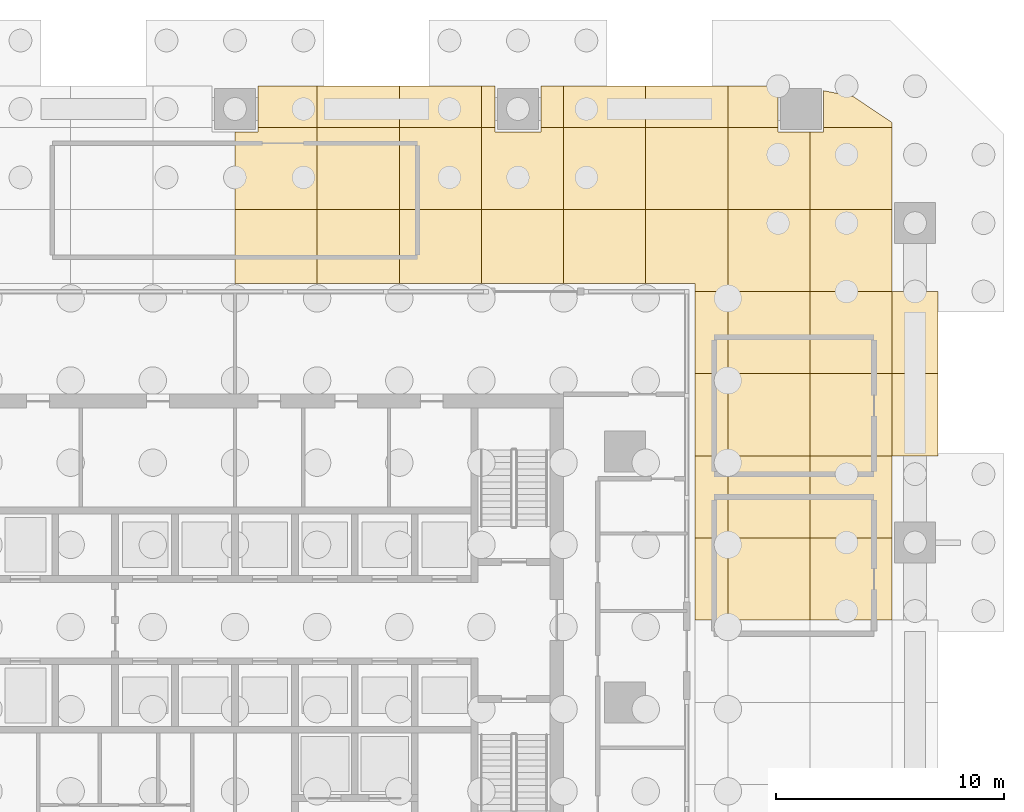
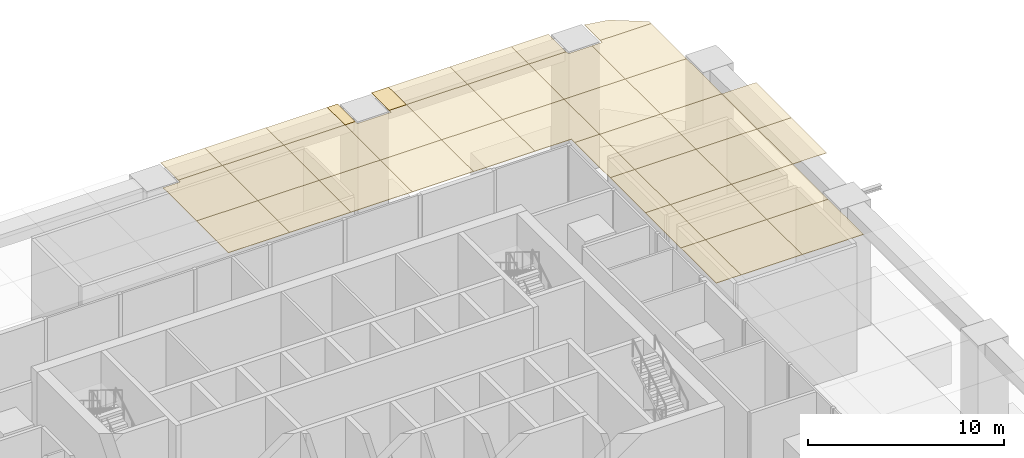
# One storey, part 17 of 18: 39 coverings.
"""IFC4 building model written with IfcOpenShell, lengths in metres."""

from ifc_helpers import new_model, si_unit, direction, frame, origin, place, context, subcontext, project, spatial, polyline, outline, extrude, material, layer, layer_set, type_object, element, save


model = new_model("IFC4")

# Units and contexts
model_context = context("Model", 3, precision=1e-05, world=origin(), true_north=direction((0.0, 1.0)))
body_context = subcontext(model_context, "Body", "Model", "MODEL_VIEW")
ifc_project = project(units=[si_unit("LENGTHUNIT", "METRE"), si_unit("AREAUNIT", "SQUARE_METRE"), si_unit("VOLUMEUNIT", "CUBIC_METRE"), si_unit("PLANEANGLEUNIT", "RADIAN"), si_unit("MASSUNIT", "GRAM", prefix="KILO")], contexts=[model_context])

# Site, building, storey
site_placement = place(None, origin())
site = spatial("IfcSite", under=ifc_project, at=site_placement, CompositionType="ELEMENT")
building_placement = place(site_placement, origin())
building = spatial("IfcBuilding", under=site, at=building_placement, Name="Mopane Tessera Tower", CompositionType="ELEMENT")
storey_placement = place(building_placement, origin())
storey = spatial("IfcBuildingStorey", under=building, at=storey_placement, Name="L00", CompositionType="ELEMENT", Elevation=0.0)

# Coverings
ifc_material = material(Name="Glazed ceramic tile")
ifc_layer = layer(ifc_material, 0.030029296875)
ifc_layer_set = layer_set([ifc_layer], Name="Glazed ceramic tile")
covering_type = type_object("IfcCoveringType", Name="Glazed tile soffit panel 3600 x 3600", PredefinedType="CEILING", material=ifc_layer_set)
covering_1_placement = place(storey_placement, frame((0.0, 0.0, 7.77001953125)))
element("IfcCovering", 1, at=covering_1_placement, inside=storey, type_object=covering_type, Name="e:tl:0:5:0", PredefinedType="CEILING", context=body_context, shape_type="SweptSolid", body=[
    extrude(outline(polyline([(0.0, 18.35009765625), (0.0, 21.60009765625), (3.60009765625, 21.60009765625), (3.60009765625, 18.35009765625), (0.0, 18.35009765625)])), origin(), (0.0, 0.0, 1.0), 0.030029296875),
])
covering_2_placement = place(storey_placement, frame((0.0, 0.0, 7.77001953125)))
element("IfcCovering", 2, at=covering_2_placement, inside=storey, type_object=covering_type, Name="e:tl:0:6:0", PredefinedType="CEILING", context=body_context, shape_type="SweptSolid", body=[
    extrude(outline(polyline([(1.0, 25.0), (1.0, 25.199951171875), (3.60009765625, 25.199951171875), (3.60009765625, 21.60009765625), (0.0, 21.60009765625), (0.0, 25.0), (1.0, 25.0)])), origin(), (0.0, 0.0, 1.0), 0.030029296875),
])
covering_3_placement = place(storey_placement, frame((0.0, 0.0, 7.77001953125)))
element("IfcCovering", 3, at=covering_3_placement, inside=storey, type_object=covering_type, Name="e:tl:0:7:0", PredefinedType="CEILING", context=body_context, shape_type="SweptSolid", body=[
    extrude(outline(polyline([(1.0, 27.0), (3.60009765625, 27.0), (3.60009765625, 25.199951171875), (1.0, 25.199951171875), (1.0, 27.0)])), origin(), (0.0, 0.0, 1.0), 0.030029296875),
])
covering_4_placement = place(storey_placement, frame((0.0, 0.0, 7.77001953125)))
element("IfcCovering", 4, at=covering_4_placement, inside=storey, type_object=covering_type, Name="e:tl:1:5:0", PredefinedType="CEILING", context=body_context, shape_type="SweptSolid", body=[
    extrude(outline(polyline([(3.60009765625, 18.35009765625), (3.60009765625, 21.60009765625), (7.199951171875, 21.60009765625), (7.199951171875, 18.35009765625), (3.60009765625, 18.35009765625)])), origin(), (0.0, 0.0, 1.0), 0.030029296875),
])
covering_5_placement = place(storey_placement, frame((0.0, 0.0, 7.77001953125)))
element("IfcCovering", 5, at=covering_5_placement, inside=storey, type_object=covering_type, Name="e:tl:1:6:0", PredefinedType="CEILING", context=body_context, shape_type="SweptSolid", body=[
    extrude(outline(polyline([(3.60009765625, 21.60009765625), (3.60009765625, 25.199951171875), (7.199951171875, 25.199951171875), (7.199951171875, 21.60009765625), (3.60009765625, 21.60009765625)])), origin(), (0.0, 0.0, 1.0), 0.030029296875),
])
covering_6_placement = place(storey_placement, frame((0.0, 0.0, 7.77001953125)))
element("IfcCovering", 6, at=covering_6_placement, inside=storey, type_object=covering_type, Name="e:tl:1:7:0", PredefinedType="CEILING", context=body_context, shape_type="SweptSolid", body=[
    extrude(outline(polyline([(7.199951171875, 27.0), (7.199951171875, 25.199951171875), (3.60009765625, 25.199951171875), (3.60009765625, 27.0), (7.199951171875, 27.0)])), origin(), (0.0, 0.0, 1.0), 0.030029296875),
])
covering_7_placement = place(storey_placement, frame((0.0, 0.0, 7.77001953125)))
element("IfcCovering", 7, at=covering_7_placement, inside=storey, type_object=covering_type, Name="e:tl:2:5:0", PredefinedType="CEILING", context=body_context, shape_type="SweptSolid", body=[
    extrude(outline(polyline([(7.199951171875, 18.35009765625), (7.199951171875, 21.60009765625), (10.800048828125, 21.60009765625), (10.800048828125, 18.35009765625), (7.199951171875, 18.35009765625)])), origin(), (0.0, 0.0, 1.0), 0.030029296875),
])
covering_8_placement = place(storey_placement, frame((0.0, 0.0, 7.77001953125)))
element("IfcCovering", 8, at=covering_8_placement, inside=storey, type_object=covering_type, Name="e:tl:2:6:0", PredefinedType="CEILING", context=body_context, shape_type="SweptSolid", body=[
    extrude(outline(polyline([(7.199951171875, 21.60009765625), (7.199951171875, 25.199951171875), (10.800048828125, 25.199951171875), (10.800048828125, 21.60009765625), (7.199951171875, 21.60009765625)])), origin(), (0.0, 0.0, 1.0), 0.030029296875),
])
covering_9_placement = place(storey_placement, frame((0.0, 0.0, 7.77001953125)))
element("IfcCovering", 9, at=covering_9_placement, inside=storey, type_object=covering_type, Name="e:tl:2:7:0", PredefinedType="CEILING", context=body_context, shape_type="SweptSolid", body=[
    extrude(outline(polyline([(10.800048828125, 27.0), (10.800048828125, 25.199951171875), (7.199951171875, 25.199951171875), (7.199951171875, 27.0), (10.800048828125, 27.0)])), origin(), (0.0, 0.0, 1.0), 0.030029296875),
])
covering_10_placement = place(storey_placement, frame((0.0, 0.0, 7.77001953125)))
element("IfcCovering", 10, at=covering_10_placement, inside=storey, type_object=covering_type, Name="e:tl:3:5:0", PredefinedType="CEILING", context=body_context, shape_type="SweptSolid", body=[
    extrude(outline(polyline([(10.800048828125, 18.35009765625), (10.800048828125, 21.60009765625), (14.39990234375, 21.60009765625), (14.39990234375, 18.35009765625), (10.800048828125, 18.35009765625)])), origin(), (0.0, 0.0, 1.0), 0.030029296875),
])
covering_11_placement = place(storey_placement, frame((0.0, 0.0, 7.77001953125)))
element("IfcCovering", 11, at=covering_11_placement, inside=storey, type_object=covering_type, Name="e:tl:3:6:0", PredefinedType="CEILING", context=body_context, shape_type="SweptSolid", body=[
    extrude(outline(polyline([(11.39990234375, 25.0), (13.39990234375, 25.0), (13.39990234375, 25.199951171875), (14.39990234375, 25.199951171875), (14.39990234375, 21.60009765625), (10.800048828125, 21.60009765625), (10.800048828125, 25.199951171875), (11.39990234375, 25.199951171875), (11.39990234375, 25.0)])), origin(), (0.0, 0.0, 1.0), 0.030029296875),
])
covering_12_placement = place(storey_placement, frame((0.0, 0.0, 7.77001953125)))
element("IfcCovering", 12, at=covering_12_placement, inside=storey, type_object=covering_type, Name="e:tl:3:7:0", PredefinedType="CEILING", context=body_context, shape_type="SweptSolid", body=[
    extrude(outline(polyline([(11.39990234375, 27.0), (11.39990234375, 25.199951171875), (10.800048828125, 25.199951171875), (10.800048828125, 27.0), (11.39990234375, 27.0)])), origin(), (0.0, 0.0, 1.0), 0.030029296875),
])
covering_13_placement = place(storey_placement, frame((0.0, 0.0, 7.77001953125)))
element("IfcCovering", 13, at=covering_13_placement, inside=storey, type_object=covering_type, Name="e:tl:3:7:1", PredefinedType="CEILING", context=body_context, shape_type="SweptSolid", body=[
    extrude(outline(polyline([(13.39990234375, 27.0), (14.39990234375, 27.0), (14.39990234375, 25.199951171875), (13.39990234375, 25.199951171875), (13.39990234375, 27.0)])), origin(), (0.0, 0.0, 1.0), 0.030029296875),
])
covering_14_placement = place(storey_placement, frame((0.0, 0.0, 7.77001953125)))
element("IfcCovering", 14, at=covering_14_placement, inside=storey, type_object=covering_type, Name="e:tl:4:5:0", PredefinedType="CEILING", context=body_context, shape_type="SweptSolid", body=[
    extrude(outline(polyline([(14.39990234375, 18.35009765625), (14.39990234375, 21.60009765625), (18.0, 21.60009765625), (18.0, 18.35009765625), (14.39990234375, 18.35009765625)])), origin(), (0.0, 0.0, 1.0), 0.030029296875),
])
covering_15_placement = place(storey_placement, frame((0.0, 0.0, 7.77001953125)))
element("IfcCovering", 15, at=covering_15_placement, inside=storey, type_object=covering_type, Name="e:tl:4:6:0", PredefinedType="CEILING", context=body_context, shape_type="SweptSolid", body=[
    extrude(outline(polyline([(14.39990234375, 21.60009765625), (14.39990234375, 25.199951171875), (18.0, 25.199951171875), (18.0, 21.60009765625), (14.39990234375, 21.60009765625)])), origin(), (0.0, 0.0, 1.0), 0.030029296875),
])
covering_16_placement = place(storey_placement, frame((0.0, 0.0, 7.77001953125)))
element("IfcCovering", 16, at=covering_16_placement, inside=storey, type_object=covering_type, Name="e:tl:4:7:0", PredefinedType="CEILING", context=body_context, shape_type="SweptSolid", body=[
    extrude(outline(polyline([(18.0, 27.0), (18.0, 25.199951171875), (14.39990234375, 25.199951171875), (14.39990234375, 27.0), (18.0, 27.0)])), origin(), (0.0, 0.0, 1.0), 0.030029296875),
])
covering_17_placement = place(storey_placement, frame((0.0, 0.0, 7.77001953125)))
element("IfcCovering", 17, at=covering_17_placement, inside=storey, type_object=covering_type, Name="e:tl:5:1:0", PredefinedType="CEILING", context=body_context, shape_type="SweptSolid", body=[
    extrude(outline(polyline([(20.14990234375, 7.199951171875), (21.60009765625, 7.199951171875), (21.60009765625, 3.60009765625), (20.14990234375, 3.60009765625), (20.14990234375, 7.199951171875)])), origin(), (0.0, 0.0, 1.0), 0.030029296875),
])
covering_18_placement = place(storey_placement, frame((0.0, 0.0, 7.77001953125)))
element("IfcCovering", 18, at=covering_18_placement, inside=storey, type_object=covering_type, Name="e:tl:5:2:0", PredefinedType="CEILING", context=body_context, shape_type="SweptSolid", body=[
    extrude(outline(polyline([(20.14990234375, 10.800048828125), (21.60009765625, 10.800048828125), (21.60009765625, 7.199951171875), (20.14990234375, 7.199951171875), (20.14990234375, 10.800048828125)])), origin(), (0.0, 0.0, 1.0), 0.030029296875),
])
covering_19_placement = place(storey_placement, frame((0.0, 0.0, 7.77001953125)))
element("IfcCovering", 19, at=covering_19_placement, inside=storey, type_object=covering_type, Name="e:tl:5:3:0", PredefinedType="CEILING", context=body_context, shape_type="SweptSolid", body=[
    extrude(outline(polyline([(20.14990234375, 14.39990234375), (21.60009765625, 14.39990234375), (21.60009765625, 10.800048828125), (20.14990234375, 10.800048828125), (20.14990234375, 14.39990234375)])), origin(), (0.0, 0.0, 1.0), 0.030029296875),
])
covering_20_placement = place(storey_placement, frame((0.0, 0.0, 7.77001953125)))
element("IfcCovering", 20, at=covering_20_placement, inside=storey, type_object=covering_type, Name="e:tl:5:4:0", PredefinedType="CEILING", context=body_context, shape_type="SweptSolid", body=[
    extrude(outline(polyline([(20.14990234375, 18.0), (21.60009765625, 18.0), (21.60009765625, 14.39990234375), (20.14990234375, 14.39990234375), (20.14990234375, 18.0)])), origin(), (0.0, 0.0, 1.0), 0.030029296875),
])
covering_21_placement = place(storey_placement, frame((0.0, 0.0, 7.77001953125)))
element("IfcCovering", 21, at=covering_21_placement, inside=storey, type_object=covering_type, Name="e:tl:5:5:0", PredefinedType="CEILING", context=body_context, shape_type="SweptSolid", body=[
    extrude(outline(polyline([(20.14990234375, 18.35009765625), (18.0, 18.35009765625), (18.0, 21.60009765625), (21.60009765625, 21.60009765625), (21.60009765625, 18.0), (20.14990234375, 18.0), (20.14990234375, 18.35009765625)])), origin(), (0.0, 0.0, 1.0), 0.030029296875),
])
covering_22_placement = place(storey_placement, frame((0.0, 0.0, 7.77001953125)))
element("IfcCovering", 22, at=covering_22_placement, inside=storey, type_object=covering_type, Name="e:tl:5:6:0", PredefinedType="CEILING", context=body_context, shape_type="SweptSolid", body=[
    extrude(outline(polyline([(18.0, 21.60009765625), (18.0, 25.199951171875), (21.60009765625, 25.199951171875), (21.60009765625, 21.60009765625), (18.0, 21.60009765625)])), origin(), (0.0, 0.0, 1.0), 0.030029296875),
])
covering_23_placement = place(storey_placement, frame((0.0, 0.0, 7.77001953125)))
element("IfcCovering", 23, at=covering_23_placement, inside=storey, type_object=covering_type, Name="e:tl:5:7:0", PredefinedType="CEILING", context=body_context, shape_type="SweptSolid", body=[
    extrude(outline(polyline([(21.60009765625, 27.0), (21.60009765625, 25.199951171875), (18.0, 25.199951171875), (18.0, 27.0), (21.60009765625, 27.0)])), origin(), (0.0, 0.0, 1.0), 0.030029296875),
])
covering_24_placement = place(storey_placement, frame((0.0, 0.0, 7.77001953125)))
element("IfcCovering", 24, at=covering_24_placement, inside=storey, type_object=covering_type, Name="e:tl:6:1:0", PredefinedType="CEILING", context=body_context, shape_type="SweptSolid", body=[
    extrude(outline(polyline([(21.60009765625, 3.60009765625), (21.60009765625, 7.199951171875), (25.199951171875, 7.199951171875), (25.199951171875, 3.60009765625), (21.60009765625, 3.60009765625)])), origin(), (0.0, 0.0, 1.0), 0.030029296875),
])
covering_25_placement = place(storey_placement, frame((0.0, 0.0, 7.77001953125)))
element("IfcCovering", 25, at=covering_25_placement, inside=storey, type_object=covering_type, Name="e:tl:6:2:0", PredefinedType="CEILING", context=body_context, shape_type="SweptSolid", body=[
    extrude(outline(polyline([(21.60009765625, 7.199951171875), (21.60009765625, 10.800048828125), (25.199951171875, 10.800048828125), (25.199951171875, 7.199951171875), (21.60009765625, 7.199951171875)])), origin(), (0.0, 0.0, 1.0), 0.030029296875),
])
covering_26_placement = place(storey_placement, frame((0.0, 0.0, 7.77001953125)))
element("IfcCovering", 26, at=covering_26_placement, inside=storey, type_object=covering_type, Name="e:tl:6:3:0", PredefinedType="CEILING", context=body_context, shape_type="SweptSolid", body=[
    extrude(outline(polyline([(21.60009765625, 10.800048828125), (21.60009765625, 14.39990234375), (25.199951171875, 14.39990234375), (25.199951171875, 10.800048828125), (21.60009765625, 10.800048828125)])), origin(), (0.0, 0.0, 1.0), 0.030029296875),
])
covering_27_placement = place(storey_placement, frame((0.0, 0.0, 7.77001953125)))
element("IfcCovering", 27, at=covering_27_placement, inside=storey, type_object=covering_type, Name="e:tl:6:4:0", PredefinedType="CEILING", context=body_context, shape_type="SweptSolid", body=[
    extrude(outline(polyline([(21.60009765625, 14.39990234375), (21.60009765625, 18.0), (25.199951171875, 18.0), (25.199951171875, 14.39990234375), (21.60009765625, 14.39990234375)])), origin(), (0.0, 0.0, 1.0), 0.030029296875),
])
covering_28_placement = place(storey_placement, frame((0.0, 0.0, 7.77001953125)))
element("IfcCovering", 28, at=covering_28_placement, inside=storey, type_object=covering_type, Name="e:tl:6:5:0", PredefinedType="CEILING", context=body_context, shape_type="SweptSolid", body=[
    extrude(outline(polyline([(21.60009765625, 18.0), (21.60009765625, 21.60009765625), (25.199951171875, 21.60009765625), (25.199951171875, 18.0), (21.60009765625, 18.0)])), origin(), (0.0, 0.0, 1.0), 0.030029296875),
])
covering_29_placement = place(storey_placement, frame((0.0, 0.0, 7.77001953125)))
element("IfcCovering", 29, at=covering_29_placement, inside=storey, type_object=covering_type, Name="e:tl:6:6:0", PredefinedType="CEILING", context=body_context, shape_type="SweptSolid", body=[
    extrude(outline(polyline([(23.800048828125, 25.0), (25.199951171875, 25.0), (25.199951171875, 21.60009765625), (21.60009765625, 21.60009765625), (21.60009765625, 25.199951171875), (23.800048828125, 25.199951171875), (23.800048828125, 25.0)])), origin(), (0.0, 0.0, 1.0), 0.030029296875),
])
covering_30_placement = place(storey_placement, frame((0.0, 0.0, 7.77001953125)))
element("IfcCovering", 30, at=covering_30_placement, inside=storey, type_object=covering_type, Name="e:tl:6:7:0", PredefinedType="CEILING", context=body_context, shape_type="SweptSolid", body=[
    extrude(outline(polyline([(23.800048828125, 27.0), (23.800048828125, 25.199951171875), (21.60009765625, 25.199951171875), (21.60009765625, 27.0), (23.800048828125, 27.0)])), origin(), (0.0, 0.0, 1.0), 0.030029296875),
])
covering_31_placement = place(storey_placement, frame((0.0, 0.0, 7.77001953125)))
element("IfcCovering", 31, at=covering_31_placement, inside=storey, type_object=covering_type, Name="e:tl:7:1:0", PredefinedType="CEILING", context=body_context, shape_type="SweptSolid", body=[
    extrude(outline(polyline([(28.800048828125, 7.199951171875), (28.800048828125, 3.60009765625), (25.199951171875, 3.60009765625), (25.199951171875, 7.199951171875), (28.800048828125, 7.199951171875)])), origin(), (0.0, 0.0, 1.0), 0.030029296875),
])
covering_32_placement = place(storey_placement, frame((0.0, 0.0, 7.77001953125)))
element("IfcCovering", 32, at=covering_32_placement, inside=storey, type_object=covering_type, Name="e:tl:7:2:0", PredefinedType="CEILING", context=body_context, shape_type="SweptSolid", body=[
    extrude(outline(polyline([(28.800048828125, 7.199951171875), (25.199951171875, 7.199951171875), (25.199951171875, 10.800048828125), (28.800048828125, 10.800048828125), (28.800048828125, 7.199951171875)])), origin(), (0.0, 0.0, 1.0), 0.030029296875),
])
covering_33_placement = place(storey_placement, frame((0.0, 0.0, 7.77001953125)))
element("IfcCovering", 33, at=covering_33_placement, inside=storey, type_object=covering_type, Name="e:tl:7:3:0", PredefinedType="CEILING", context=body_context, shape_type="SweptSolid", body=[
    extrude(outline(polyline([(25.199951171875, 10.800048828125), (25.199951171875, 14.39990234375), (28.800048828125, 14.39990234375), (28.800048828125, 10.800048828125), (25.199951171875, 10.800048828125)])), origin(), (0.0, 0.0, 1.0), 0.030029296875),
])
covering_34_placement = place(storey_placement, frame((0.0, 0.0, 7.77001953125)))
element("IfcCovering", 34, at=covering_34_placement, inside=storey, type_object=covering_type, Name="e:tl:7:4:0", PredefinedType="CEILING", context=body_context, shape_type="SweptSolid", body=[
    extrude(outline(polyline([(25.199951171875, 14.39990234375), (25.199951171875, 18.0), (28.800048828125, 18.0), (28.800048828125, 14.39990234375), (25.199951171875, 14.39990234375)])), origin(), (0.0, 0.0, 1.0), 0.030029296875),
])
covering_35_placement = place(storey_placement, frame((0.0, 0.0, 7.77001953125)))
element("IfcCovering", 35, at=covering_35_placement, inside=storey, type_object=covering_type, Name="e:tl:7:5:0", PredefinedType="CEILING", context=body_context, shape_type="SweptSolid", body=[
    extrude(outline(polyline([(28.800048828125, 21.60009765625), (28.800048828125, 18.0), (25.199951171875, 18.0), (25.199951171875, 21.60009765625), (28.800048828125, 21.60009765625)])), origin(), (0.0, 0.0, 1.0), 0.030029296875),
])
covering_36_placement = place(storey_placement, frame((0.0, 0.0, 7.77001953125)))
element("IfcCovering", 36, at=covering_36_placement, inside=storey, type_object=covering_type, Name="e:tl:7:6:0", PredefinedType="CEILING", context=body_context, shape_type="SweptSolid", body=[
    extrude(outline(polyline([(25.800048828125, 25.0), (25.800048828125, 25.199951171875), (28.800048828125, 25.199951171875), (28.800048828125, 21.60009765625), (25.199951171875, 21.60009765625), (25.199951171875, 25.0), (25.800048828125, 25.0)])), origin(), (0.0, 0.0, 1.0), 0.030029296875),
])
covering_37_placement = place(storey_placement, frame((0.0, 0.0, 7.77001953125)))
element("IfcCovering", 37, at=covering_37_placement, inside=storey, type_object=covering_type, Name="e:tl:7:7:0", PredefinedType="CEILING", context=body_context, shape_type="SweptSolid", body=[
    extrude(outline(polyline([(25.800048828125, 26.801025390625), (27.09619140625, 26.543212890625), (28.800048828125, 25.40478515625), (28.800048828125, 25.199951171875), (25.800048828125, 25.199951171875), (25.800048828125, 26.801025390625)])), origin(), (0.0, 0.0, 1.0), 0.030029296875),
])
covering_38_placement = place(storey_placement, frame((0.0, 0.0, 7.77001953125)))
element("IfcCovering", 38, at=covering_38_placement, inside=storey, type_object=covering_type, Name="e:tl:8:3:0", PredefinedType="CEILING", context=body_context, shape_type="SweptSolid", body=[
    extrude(outline(polyline([(30.800048828125, 10.800048828125), (28.800048828125, 10.800048828125), (28.800048828125, 14.39990234375), (30.800048828125, 14.39990234375), (30.800048828125, 10.800048828125)])), origin(), (0.0, 0.0, 1.0), 0.030029296875),
])
covering_39_placement = place(storey_placement, frame((0.0, 0.0, 7.77001953125)))
element("IfcCovering", 39, at=covering_39_placement, inside=storey, type_object=covering_type, Name="e:tl:8:4:0", PredefinedType="CEILING", context=body_context, shape_type="SweptSolid", body=[
    extrude(outline(polyline([(30.800048828125, 14.39990234375), (28.800048828125, 14.39990234375), (28.800048828125, 18.0), (30.800048828125, 18.0), (30.800048828125, 14.39990234375)])), origin(), (0.0, 0.0, 1.0), 0.030029296875),
])

save(model, "model.ifc")
